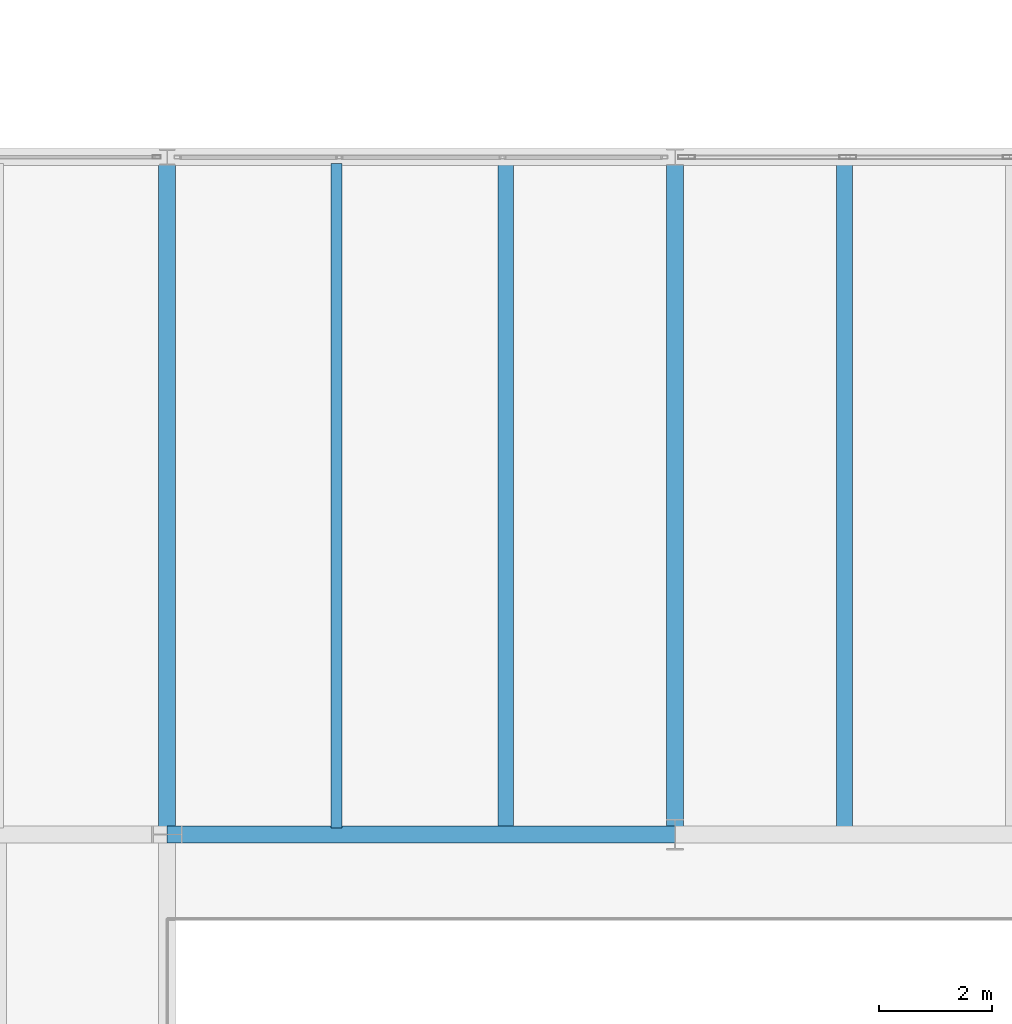
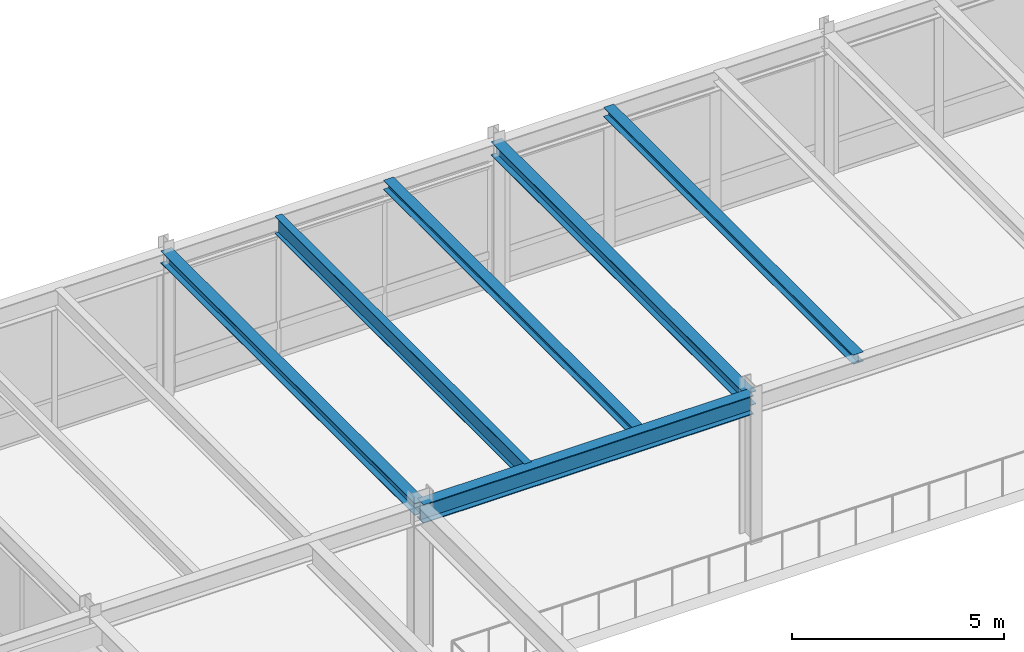
# One storey, part 59 of 127: 6 beams.
"""IFC4 building model written with IfcOpenShell, lengths in metres."""

from ifc_helpers import new_model, si_unit, direction, frame, origin, origin_2d, place, context, subcontext, project, spatial, i_section, extrude, material, material_profile, profile_set, type_object, element, save


model = new_model("IFC4")

# Units and contexts
model_context = context("Model", 3, precision=1e-05, world=origin(), true_north=direction((0.0, 1.0)))
body_context = subcontext(model_context, "Body", "Model", "MODEL_VIEW")
ifc_project = project(units=[si_unit("LENGTHUNIT", "METRE"), si_unit("AREAUNIT", "SQUARE_METRE"), si_unit("VOLUMEUNIT", "CUBIC_METRE"), si_unit("PLANEANGLEUNIT", "RADIAN"), si_unit("MASSUNIT", "GRAM", prefix="KILO")], contexts=[model_context])

# Site, building, storey
site_placement = place(None, origin())
site = spatial("IfcSite", under=ifc_project, at=site_placement, CompositionType="ELEMENT")
building_placement = place(site_placement, origin())
building = spatial("IfcBuilding", under=site, at=building_placement, Name="Montelvaro Courts of Justice", CompositionType="ELEMENT")
storey_placement = place(building_placement, frame((0.0, 0.0, 5.39990234375)))
storey = spatial("IfcBuildingStorey", under=building, at=storey_placement, Name="L01", CompositionType="ELEMENT", Elevation=5.39990234375)

# Beams
ifc_material = material(Name="Steel S355", Category="steel")
ifc_material_profile_1 = material_profile(ifc_material, i_section(OverallWidth=0.280029296875, OverallDepth=0.27001953125, WebThickness=0.008056640625, FlangeThickness=0.012939453125, at=origin_2d()), Name="HEA 280")
ifc_profile_set_1 = profile_set([ifc_material_profile_1], Name="Steel S355")
beam_type_1 = type_object("IfcBeamType", Name="Beam_HEA280", PredefinedType="BEAM", material=ifc_profile_set_1)
for number, where, z_axis, x_axis, name in (
    (1, (42.0, 96.110107421875, 4.045166015625), (0.0, 1.0, 0.0), (-1.0, 0.0, 0.0), "Beam B-14 L01"),
    (2, (48.0, 96.110107421875, 4.045166015625), (0.0, 1.0, 0.0), (-1.0, 0.0, 0.0), "Beam B-14 L01"),
):
    element("IfcBeam", number, at=place(storey_placement, frame(where, z_axis=z_axis, x_axis=x_axis)), inside=storey, type_object=beam_type_1, Name=name, PredefinedType="BEAM", context=body_context, shape_type="SweptSolid", body=[
        extrude(i_section(OverallWidth=0.280029296875, OverallDepth=0.27001953125, WebThickness=0.008056640625, FlangeThickness=0.012939453125, at=origin_2d()), origin(), (0.0, 0.0, 1.0), 11.77978515625),
    ])
ifc_material_profile_2 = material_profile(ifc_material, i_section(OverallWidth=0.300048828125, OverallDepth=0.35009765625, WebThickness=0.010009765625, FlangeThickness=0.017578125, at=origin_2d()), Name="HEA 360")
ifc_profile_set_2 = profile_set([ifc_material_profile_2], Name="Steel S355")
beam_type_2 = type_object("IfcBeamType", Name="Beam_HEA360", PredefinedType="USERDEFINED", material=ifc_profile_set_2)
beam_1_placement = place(storey_placement, frame((36.0, 96.0, 4.005126953125), z_axis=(0.0, 1.0, 0.0), x_axis=(-1.0, 0.0, 0.0)))
element("IfcBeam", 3, at=beam_1_placement, inside=storey, type_object=beam_type_2, Name="Beam B-16 L01", ObjectType="GIRDER", PredefinedType="USERDEFINED", context=body_context, shape_type="SweptSolid", body=[
    extrude(i_section(OverallWidth=0.300048828125, OverallDepth=0.35009765625, WebThickness=0.010009765625, FlangeThickness=0.017578125, at=origin_2d()), origin(), (0.0, 0.0, 1.0), 12.0),
])
ifc_material_profile_3 = material_profile(ifc_material, i_section(OverallWidth=0.300048828125, OverallDepth=0.389892578125, WebThickness=0.010986328125, FlangeThickness=0.01904296875, at=origin_2d()), Name="HEA 400")
ifc_profile_set_3 = profile_set([ifc_material_profile_3], Name="Steel S355")
beam_type_3 = type_object("IfcBeamType", Name="Beam_HEA400", PredefinedType="USERDEFINED", material=ifc_profile_set_3)
beam_2_placement = place(storey_placement, frame((45.0, 96.0, 3.985107421875), z_axis=(0.0, 1.0, 0.0), x_axis=(-1.0, 0.0, 0.0)))
element("IfcBeam", 4, at=beam_2_placement, inside=storey, type_object=beam_type_3, Name="Beam B-17 L01", ObjectType="GIRDER", PredefinedType="USERDEFINED", context=body_context, shape_type="SweptSolid", body=[
    extrude(i_section(OverallWidth=0.300048828125, OverallDepth=0.389892578125, WebThickness=0.010986328125, FlangeThickness=0.01904296875, at=origin_2d()), origin(), (0.0, 0.0, 1.0), 12.0),
])
ifc_material_profile_4 = material_profile(ifc_material, i_section(OverallWidth=0.300048828125, OverallDepth=0.5400390625, WebThickness=0.012451171875, FlangeThickness=0.02392578125, at=origin_2d()), Name="HEA 550")
ifc_profile_set_4 = profile_set([ifc_material_profile_4], Name="Steel S355")
beam_type_4 = type_object("IfcBeamType", Name="Beam_HEA550", PredefinedType="USERDEFINED", material=ifc_profile_set_4)
beam_3_placement = place(storey_placement, frame((36.0, 96.0, 3.91015625), z_axis=(1.0, 0.0, 0.0), x_axis=(0.0, 1.0, 0.0)))
element("IfcBeam", 5, at=beam_3_placement, inside=storey, type_object=beam_type_4, Name="Beam B-20 L01", ObjectType="GIRDER", PredefinedType="USERDEFINED", context=body_context, shape_type="SweptSolid", body=[
    extrude(i_section(OverallWidth=0.300048828125, OverallDepth=0.5400390625, WebThickness=0.012451171875, FlangeThickness=0.02392578125, at=origin_2d()), origin(), (0.0, 0.0, 1.0), 9.0),
])
ifc_material_profile_5 = material_profile(ifc_material, i_section(OverallWidth=0.199951171875, OverallDepth=0.5, WebThickness=0.01025390625, FlangeThickness=0.01611328125, at=origin_2d()), Name="IPE 500")
ifc_profile_set_5 = profile_set([ifc_material_profile_5], Name="Steel S355")
beam_type_5 = type_object("IfcBeamType", Name="Beam_IPE500", PredefinedType="BEAM", material=ifc_profile_set_5)
beam_4_placement = place(storey_placement, frame((39.0, 96.110107421875, 3.93017578125), z_axis=(0.0, 1.0, 0.0), x_axis=(-1.0, 0.0, 0.0)))
element("IfcBeam", 6, at=beam_4_placement, inside=storey, type_object=beam_type_5, Name="Beam B-10 L01", PredefinedType="BEAM", context=body_context, shape_type="SweptSolid", body=[
    extrude(i_section(OverallWidth=0.199951171875, OverallDepth=0.5, WebThickness=0.01025390625, FlangeThickness=0.01611328125, at=origin_2d()), origin(), (0.0, 0.0, 1.0), 11.77978515625),
])

save(model, "model.ifc")
